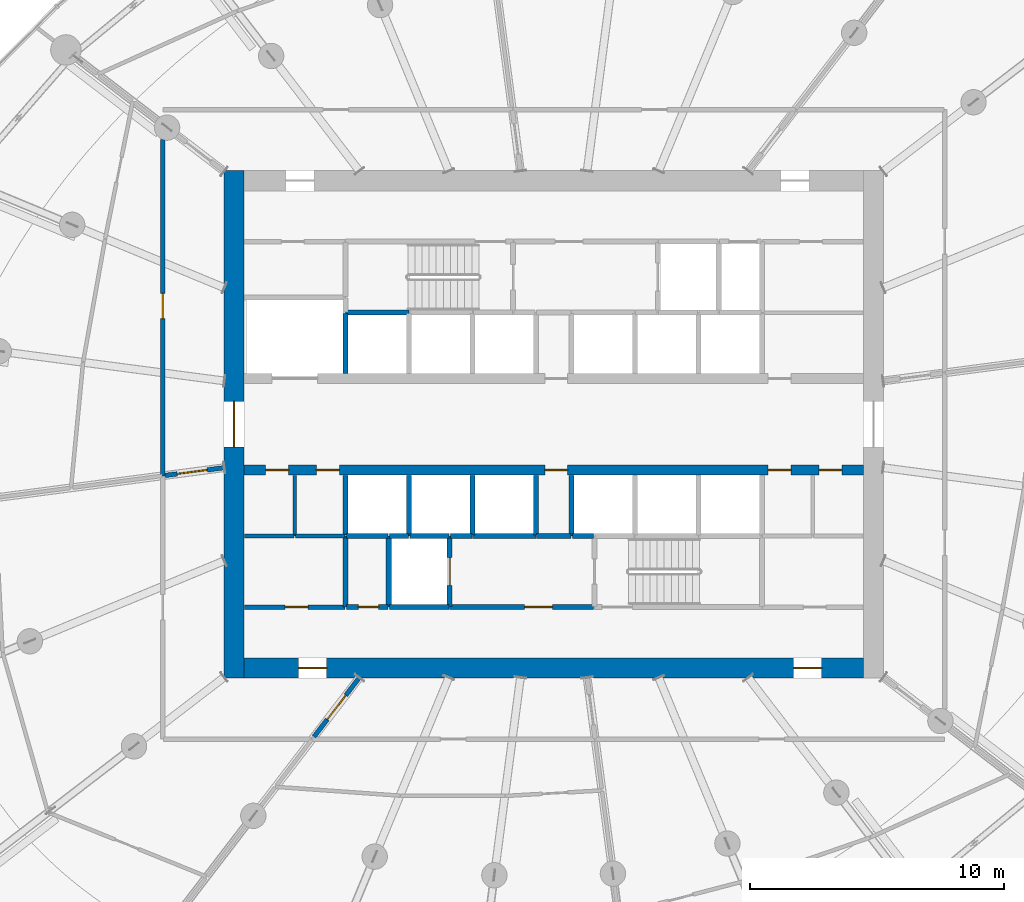
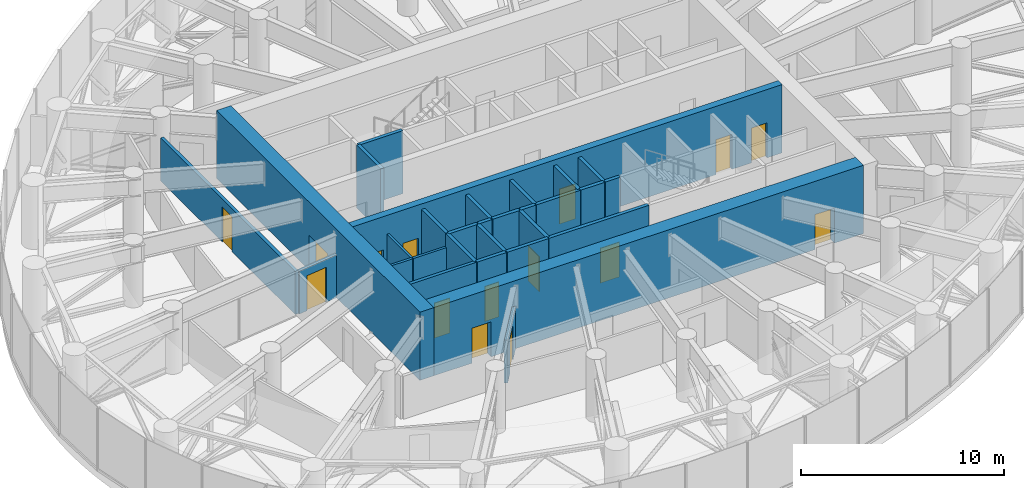
# One storey, part 16 of 33: 30 walls, 15 doors, 15 openings.
"""IFC4 building model written with IfcOpenShell, lengths in metres."""

from ifc_helpers import new_model, si_unit, direction, frame, frame_2d, origin, place, context, subcontext, project, spatial, rectangle, extrude, source, transform, mapped, material, layer, layer_set, type_object, element, fill, save


model = new_model("IFC4")

# Units and contexts
model_context = context("Model", 3, precision=1e-05, world=origin(), true_north=direction((0.0, 1.0)))
body_context = subcontext(model_context, "Body", "Model", "MODEL_VIEW")
ifc_project = project(units=[si_unit("LENGTHUNIT", "METRE"), si_unit("AREAUNIT", "SQUARE_METRE"), si_unit("VOLUMEUNIT", "CUBIC_METRE"), si_unit("PLANEANGLEUNIT", "RADIAN"), si_unit("MASSUNIT", "GRAM", prefix="KILO")], contexts=[model_context])

# Site, building, storey
site_placement = place(None, origin())
site = spatial("IfcSite", under=ifc_project, at=site_placement, CompositionType="ELEMENT")
building_placement = place(site_placement, origin())
building = spatial("IfcBuilding", under=site, at=building_placement, Name="Spindrift Exchange Tower", CompositionType="ELEMENT")
storey_placement = place(building_placement, frame((0.0, 0.0, 129.0)))
storey = spatial("IfcBuildingStorey", under=building, at=storey_placement, Name="L30", CompositionType="ELEMENT", Elevation=129.0)

# Wall, opening, door
ifc_material_1 = material(Name="Concrete 65 MPa", Category="concrete")
ifc_layer_1 = layer(ifc_material_1, 0.800048828125)
ifc_layer_set_1 = layer_set([ifc_layer_1], Name="RC Core Wall 800 Concrete 65 MPa")
wall_type_1 = type_object("IfcWallType", Name="RC Core Wall 800 Concrete 65 MPa", PredefinedType="SHEAR", material=ifc_layer_set_1)
wall_1_placement = place(storey_placement, frame((39.39990234375, 58.0, 0.0), z_axis=(0.0, 0.0, 1.0), x_axis=(0.0, -1.0, 0.0)))
wall_1 = element("IfcWall", 1, at=wall_1_placement, inside=storey, type_object=wall_type_1, Name="Core wall W L30", PredefinedType="SHEAR", context=body_context, shape_type="SweptSolid", body=[
    extrude(rectangle(XDim=20.0, YDim=0.800048828125, at=frame_2d((10.0, 0.0))), origin(), (0.0, 0.0, 1.0), 4.10009765625),
])
opening_1_placement = place(wall_1_placement, frame((9.10009765625, 0.0, 0.0)))
opening_1 = element("IfcOpeningElement", 2, at=opening_1_placement, cuts=wall_1, Name="Opening L30-D1", PredefinedType="OPENING", context=body_context, shape_type="SweptSolid", body=[
    extrude(rectangle(XDim=1.800048828125, YDim=2.10009765625, at=frame_2d((0.89990234375, 1.050048828125))), frame((0.0, 0.409912109375, 0.0), z_axis=(0.0, -1.0, 0.0), x_axis=(1.0, 0.0, 0.0)), (0.0, 0.0, 1.0), 0.820068359375),
])
ifc_material_2 = material(Name="Timber-core fire door", Category="wood")
door_type_1 = type_object("IfcDoorType", Name="DR-LOBBY-1800", OperationType="NOTDEFINED", PredefinedType="DOOR", material=ifc_material_2)
shared_shape_1 = source(origin(), body_context, "Body", "SweptSolid", [
    extrude(rectangle(XDim=1.800048828125, YDim=2.10009765625, at=frame_2d((0.89990234375, 1.050048828125))), frame((0.0, 0.02490234375, 0.0), z_axis=(0.0, -1.0, 0.0), x_axis=(1.0, 0.0, 0.0)), (0.0, 0.0, 1.0), 0.050048828125),
])
door_1_placement = place(opening_1_placement, origin())
door_1 = element("IfcDoor", 3, at=door_1_placement, inside=storey, type_object=door_type_1, Name="L30 Lobby door 1", OperationType="SINGLE_SWING_RIGHT", OverallHeight=2.10009765625, OverallWidth=1.800048828125, PredefinedType="DOOR", context=body_context, shape_type="MappedRepresentation", body=[
    mapped(shared_shape_1, transform((0.0, 0.0, 0.0), scale=1.0)),
])
fill(opening_1, door_1)

# Wall, openings, doors
wall_2_placement = place(storey_placement, frame((39.800048828125, 38.39990234375, 0.0), z_axis=(0.0, 0.0, 1.0), x_axis=(1.0, 0.0, 0.0)))
wall_2 = element("IfcWall", 4, at=wall_2_placement, inside=storey, type_object=wall_type_1, Name="Core wall S L30", PredefinedType="SHEAR", context=body_context, shape_type="SweptSolid", body=[
    extrude(rectangle(XDim=24.39990234375, YDim=0.800048828125, at=frame_2d((12.199951171875, 0.0))), origin(), (0.0, 0.0, 1.0), 4.10009765625),
])
opening_2_placement = place(wall_2_placement, frame((21.64990234375, 0.0, 0.0)))
opening_2 = element("IfcOpeningElement", 5, at=opening_2_placement, cuts=wall_2, Name="Opening L30-D16", PredefinedType="OPENING", context=body_context, shape_type="SweptSolid", body=[
    extrude(rectangle(XDim=1.10009765625, YDim=2.10009765625, at=frame_2d((0.550048828125, 1.050048828125))), frame((0.0, 0.409912109375, 0.0), z_axis=(0.0, -1.0, 0.0), x_axis=(1.0, 0.0, 0.0)), (0.0, 0.0, 1.0), 0.820068359375),
])
opening_3_placement = place(wall_2_placement, frame((2.14990234375, 0.0, 0.0)))
opening_3 = element("IfcOpeningElement", 6, at=opening_3_placement, cuts=wall_2, Name="Opening L30-D17", PredefinedType="OPENING", context=body_context, shape_type="SweptSolid", body=[
    extrude(rectangle(XDim=1.10009765625, YDim=2.10009765625, at=frame_2d((0.550048828125, 1.050048828125))), frame((0.0, 0.409912109375, 0.0), z_axis=(0.0, -1.0, 0.0), x_axis=(1.0, 0.0, 0.0)), (0.0, 0.0, 1.0), 0.820068359375),
])
ifc_material_3 = material(Name="Steel fire door", Category="steel")
door_type_2 = type_object("IfcDoorType", Name="DR-STAIR-1100", OperationType="NOTDEFINED", PredefinedType="DOOR", material=ifc_material_3)
shared_shape_2 = source(origin(), body_context, "Body", "SweptSolid", [
    extrude(rectangle(XDim=1.10009765625, YDim=2.10009765625, at=frame_2d((0.550048828125, 1.050048828125))), frame((0.0, 0.02490234375, 0.0), z_axis=(0.0, -1.0, 0.0), x_axis=(1.0, 0.0, 0.0)), (0.0, 0.0, 1.0), 0.050048828125),
])
door_2_placement = place(opening_2_placement, origin())
door_2 = element("IfcDoor", 7, at=door_2_placement, inside=storey, type_object=door_type_2, Name="L30 Stair door 16", OperationType="SINGLE_SWING_LEFT", OverallHeight=2.10009765625, OverallWidth=1.10009765625, PredefinedType="DOOR", context=body_context, shape_type="MappedRepresentation", body=[
    mapped(shared_shape_2, transform((0.0, 0.0, 0.0), scale=1.0)),
])
fill(opening_2, door_2)
door_3_placement = place(opening_3_placement, origin())
door_3 = element("IfcDoor", 8, at=door_3_placement, inside=storey, type_object=door_type_2, Name="L30 Stair door 17", OperationType="SINGLE_SWING_RIGHT", OverallHeight=2.10009765625, OverallWidth=1.10009765625, PredefinedType="DOOR", context=body_context, shape_type="MappedRepresentation", body=[
    mapped(shared_shape_2, transform((0.0, 0.0, 0.0), scale=1.0)),
])
fill(opening_3, door_3)

ifc_layer_2 = layer(ifc_material_1, 0.39990234375)
ifc_layer_set_2 = layer_set([ifc_layer_2], Name="RC Spine Wall 400 Concrete 65 MPa")
wall_type_2 = type_object("IfcWallType", Name="RC Spine Wall 400 Concrete 65 MPa", PredefinedType="SHEAR", material=ifc_layer_set_2)
wall_3_placement = place(storey_placement, frame((39.800048828125, 46.199951171875, 0.0), z_axis=(0.0, 0.0, 1.0), x_axis=(1.0, 0.0, 0.0)))
wall_3 = element("IfcWall", 9, at=wall_3_placement, inside=storey, type_object=wall_type_2, Name="Core spine wall S L30", PredefinedType="SHEAR", context=body_context, shape_type="SweptSolid", body=[
    extrude(rectangle(XDim=24.39990234375, YDim=0.39990234375, at=frame_2d((12.199951171875, 0.0))), origin(), (0.0, 0.0, 1.0), 4.10009765625),
])
opening_4_placement = place(wall_3_placement, frame((20.64990234375, 0.0, 0.0)))
opening_4 = element("IfcOpeningElement", 10, at=opening_4_placement, cuts=wall_3, Name="Opening L30-D43", PredefinedType="OPENING", context=body_context, shape_type="SweptSolid", body=[
    extrude(rectangle(XDim=0.89990234375, YDim=2.10009765625, at=frame_2d((0.449951171875, 1.050048828125))), frame((0.0, 0.2099609375, 0.0), z_axis=(0.0, -1.0, 0.0), x_axis=(1.0, 0.0, 0.0)), (0.0, 0.0, 1.0), 0.419921875),
])
opening_5_placement = place(wall_3_placement, frame((22.64990234375, 0.0, 0.0)))
opening_5 = element("IfcOpeningElement", 11, at=opening_5_placement, cuts=wall_3, Name="Opening L30-D44", PredefinedType="OPENING", context=body_context, shape_type="SweptSolid", body=[
    extrude(rectangle(XDim=0.89990234375, YDim=2.10009765625, at=frame_2d((0.449951171875, 1.050048828125))), frame((0.0, 0.2099609375, 0.0), z_axis=(0.0, -1.0, 0.0), x_axis=(1.0, 0.0, 0.0)), (0.0, 0.0, 1.0), 0.419921875),
])
opening_6_placement = place(wall_3_placement, frame((0.85009765625, 0.0, 0.0)))
opening_6 = element("IfcOpeningElement", 12, at=opening_6_placement, cuts=wall_3, Name="Opening L30-D48", PredefinedType="OPENING", context=body_context, shape_type="SweptSolid", body=[
    extrude(rectangle(XDim=0.89990234375, YDim=2.10009765625, at=frame_2d((0.449951171875, 1.050048828125))), frame((0.0, 0.2099609375, 0.0), z_axis=(0.0, -1.0, 0.0), x_axis=(1.0, 0.0, 0.0)), (0.0, 0.0, 1.0), 0.419921875),
])
opening_7_placement = place(wall_3_placement, frame((2.85009765625, 0.0, 0.0)))
opening_7 = element("IfcOpeningElement", 13, at=opening_7_placement, cuts=wall_3, Name="Opening L30-D49", PredefinedType="OPENING", context=body_context, shape_type="SweptSolid", body=[
    extrude(rectangle(XDim=0.89990234375, YDim=2.10009765625, at=frame_2d((0.449951171875, 1.050048828125))), frame((0.0, 0.2099609375, 0.0), z_axis=(0.0, -1.0, 0.0), x_axis=(1.0, 0.0, 0.0)), (0.0, 0.0, 1.0), 0.419921875),
])
opening_8_placement = place(wall_3_placement, frame((11.85009765625, 0.0, 0.0)))
opening_8 = element("IfcOpeningElement", 14, at=opening_8_placement, cuts=wall_3, Name="Opening L30-D51", PredefinedType="OPENING", context=body_context, shape_type="SweptSolid", body=[
    extrude(rectangle(XDim=0.89990234375, YDim=2.10009765625, at=frame_2d((0.449951171875, 1.050048828125))), frame((0.0, 0.2099609375, 0.0), z_axis=(0.0, -1.0, 0.0), x_axis=(1.0, 0.0, 0.0)), (0.0, 0.0, 1.0), 0.419921875),
])
ifc_material_4 = material(Name="Steel access door", Category="steel")
door_type_3 = type_object("IfcDoorType", Name="DR-RISER-900", OperationType="NOTDEFINED", PredefinedType="DOOR", material=ifc_material_4)
shared_shape_3 = source(origin(), body_context, "Body", "SweptSolid", [
    extrude(rectangle(XDim=0.89990234375, YDim=2.10009765625, at=frame_2d((0.449951171875, 1.050048828125))), frame((0.0, 0.02490234375, 0.0), z_axis=(0.0, -1.0, 0.0), x_axis=(1.0, 0.0, 0.0)), (0.0, 0.0, 1.0), 0.050048828125),
])
door_4_placement = place(opening_4_placement, origin())
door_4 = element("IfcDoor", 15, at=door_4_placement, inside=storey, type_object=door_type_3, Name="L30 Riser door 43", OperationType="SINGLE_SWING_RIGHT", OverallHeight=2.10009765625, OverallWidth=0.89990234375, PredefinedType="DOOR", context=body_context, shape_type="MappedRepresentation", body=[
    mapped(shared_shape_3, transform((0.0, 0.0, 0.0), scale=1.0)),
])
fill(opening_4, door_4)
door_5_placement = place(opening_5_placement, origin())
door_5 = element("IfcDoor", 16, at=door_5_placement, inside=storey, type_object=door_type_3, Name="L30 Riser door 44", OperationType="SINGLE_SWING_LEFT", OverallHeight=2.10009765625, OverallWidth=0.89990234375, PredefinedType="DOOR", context=body_context, shape_type="MappedRepresentation", body=[
    mapped(shared_shape_3, transform((0.0, 0.0, 0.0), scale=1.0)),
])
fill(opening_5, door_5)
door_6_placement = place(opening_6_placement, origin())
door_6 = element("IfcDoor", 17, at=door_6_placement, inside=storey, type_object=door_type_3, Name="L30 Riser door 48", OperationType="SINGLE_SWING_LEFT", OverallHeight=2.10009765625, OverallWidth=0.89990234375, PredefinedType="DOOR", context=body_context, shape_type="MappedRepresentation", body=[
    mapped(shared_shape_3, transform((0.0, 0.0, 0.0), scale=1.0)),
])
fill(opening_6, door_6)
door_7_placement = place(opening_7_placement, origin())
door_7 = element("IfcDoor", 18, at=door_7_placement, inside=storey, type_object=door_type_3, Name="L30 Riser door 49", OperationType="SINGLE_SWING_RIGHT", OverallHeight=2.10009765625, OverallWidth=0.89990234375, PredefinedType="DOOR", context=body_context, shape_type="MappedRepresentation", body=[
    mapped(shared_shape_3, transform((0.0, 0.0, 0.0), scale=1.0)),
])
fill(opening_7, door_7)
door_8_placement = place(opening_8_placement, origin())
door_8 = element("IfcDoor", 19, at=door_8_placement, inside=storey, type_object=door_type_3, Name="L30 Riser door 51", OperationType="SINGLE_SWING_RIGHT", OverallHeight=2.10009765625, OverallWidth=0.89990234375, PredefinedType="DOOR", context=body_context, shape_type="MappedRepresentation", body=[
    mapped(shared_shape_3, transform((0.0, 0.0, 0.0), scale=1.0)),
])
fill(opening_8, door_8)

# Wall, opening, door
ifc_material_5 = material(Name="Fire-rated plasterboard partition", Category="gypsum")
ifc_layer_3 = layer(ifc_material_5, 0.179931640625)
ifc_layer_set_3 = layer_set([ifc_layer_3], Name="W-CORR-180")
wall_type_3 = type_object("IfcWallType", Name="W-CORR-180", PredefinedType="PARTITIONING", material=ifc_layer_set_3)
wall_4_placement = place(storey_placement, frame((39.820068359375, 40.800048828125, 0.0), z_axis=(0.0, 0.0, 1.0), x_axis=(1.0, 0.0, 0.0)))
wall_4 = element("IfcWall", 20, at=wall_4_placement, inside=storey, type_object=wall_type_3, Name="L30 Partition wall 69", PredefinedType="PARTITIONING", context=body_context, shape_type="SweptSolid", body=[
    extrude(rectangle(XDim=3.949951171875, YDim=0.179931640625, at=frame_2d((1.97509765625, 0.0))), origin(), (0.0, 0.0, 1.0), 3.780029296875),
])
opening_9_placement = place(wall_4_placement, frame((1.60009765625, 0.0, 0.0)))
opening_9 = element("IfcOpeningElement", 21, at=opening_9_placement, cuts=wall_4, Name="Opening L30-D42", PredefinedType="OPENING", context=body_context, shape_type="SweptSolid", body=[
    extrude(rectangle(XDim=0.89990234375, YDim=2.10009765625, at=frame_2d((0.449951171875, 1.050048828125))), frame((0.0, 0.099853515625, 0.0), z_axis=(0.0, -1.0, 0.0), x_axis=(1.0, 0.0, 0.0)), (0.0, 0.0, 1.0), 0.199951171875),
])
door_9_placement = place(opening_9_placement, origin())
door_9 = element("IfcDoor", 22, at=door_9_placement, inside=storey, type_object=door_type_3, Name="L30 Riser door 42", OperationType="SINGLE_SWING_LEFT", OverallHeight=2.10009765625, OverallWidth=0.89990234375, PredefinedType="DOOR", context=body_context, shape_type="MappedRepresentation", body=[
    mapped(shared_shape_3, transform((0.0, 0.0, 0.0), scale=1.0)),
])
fill(opening_9, door_9)

ifc_layer_4 = layer(ifc_material_5, 0.179931640625)
ifc_layer_set_4 = layer_set([ifc_layer_4], Name="W-CORR-180-SOFFIT")
wall_type_4 = type_object("IfcWallType", Name="W-CORR-180-SOFFIT", PredefinedType="PARTITIONING", material=ifc_layer_set_4)
wall_5_placement = place(storey_placement, frame((42.55419921875, 35.68994140625, 0.0), z_axis=(0.0, 0.0, 1.0), x_axis=(0.608737787706, 0.793371480341, 0.0)))
wall_5 = element("IfcWall", 23, at=wall_5_placement, inside=storey, type_object=wall_type_4, Name="L30 Partition wall 71", PredefinedType="PARTITIONING", context=body_context, shape_type="SweptSolid", body=[
    extrude(rectangle(XDim=2.91162109375, YDim=0.179931640625, at=frame_2d((1.455810546875, 0.0))), origin(), (0.0, 0.0, 1.0), 2.580078125),
])
opening_10_placement = place(wall_5_placement, frame((0.86181640625, 0.0, 0.0)))
opening_10 = element("IfcOpeningElement", 24, at=opening_10_placement, cuts=wall_5, Name="Opening L30-D37", PredefinedType="OPENING", context=body_context, shape_type="SweptSolid", body=[
    extrude(rectangle(XDim=1.199951171875, YDim=2.10009765625, at=frame_2d((0.60009765625, 1.050048828125))), frame((0.0, 0.099853515625, 0.0), z_axis=(0.0, -1.0, 0.0), x_axis=(1.0, 0.0, 0.0)), (0.0, 0.0, 1.0), 0.199951171875),
])
door_type_4 = type_object("IfcDoorType", Name="DR-PLANT-1200", OperationType="NOTDEFINED", PredefinedType="DOOR", material=ifc_material_3)
shared_shape_4 = source(origin(), body_context, "Body", "SweptSolid", [
    extrude(rectangle(XDim=1.199951171875, YDim=2.10009765625, at=frame_2d((0.60009765625, 1.050048828125))), frame((0.0, 0.02490234375, 0.0), z_axis=(0.0, -1.0, 0.0), x_axis=(1.0, 0.0, 0.0)), (0.0, 0.0, 1.0), 0.050048828125),
])
door_10_placement = place(opening_10_placement, origin())
door_10 = element("IfcDoor", 25, at=door_10_placement, inside=storey, type_object=door_type_4, Name="L30 Plant room door 37", OperationType="SINGLE_SWING_RIGHT", OverallHeight=2.10009765625, OverallWidth=1.199951171875, PredefinedType="DOOR", context=body_context, shape_type="MappedRepresentation", body=[
    mapped(shared_shape_4, transform((0.0, 0.0, 0.0), scale=1.0)),
])
fill(opening_10, door_10)

wall_6_placement = place(storey_placement, frame((36.68994140625, 45.984375, 0.0), z_axis=(0.0, 0.0, 1.0), x_axis=(0.991440737811, 0.130557509967, 0.0)))
wall_6 = element("IfcWall", 26, at=wall_6_placement, inside=storey, type_object=wall_type_4, Name="L30 Partition wall 74", PredefinedType="PARTITIONING", context=body_context, shape_type="SweptSolid", body=[
    extrude(rectangle(XDim=2.330078125, YDim=0.179931640625, at=frame_2d((1.1650390625, 0.0))), origin(), (0.0, 0.0, 1.0), 2.580078125),
])
opening_11_placement = place(wall_6_placement, frame((0.47998046875, 0.0, 0.0)))
opening_11 = element("IfcOpeningElement", 27, at=opening_11_placement, cuts=wall_6, Name="Opening L30-D36", PredefinedType="OPENING", context=body_context, shape_type="SweptSolid", body=[
    extrude(rectangle(XDim=1.199951171875, YDim=2.10009765625, at=frame_2d((0.60009765625, 1.050048828125))), frame((0.0, 0.099853515625, 0.0), z_axis=(0.0, -1.0, 0.0), x_axis=(1.0, 0.0, 0.0)), (0.0, 0.0, 1.0), 0.199951171875),
])
door_11_placement = place(opening_11_placement, origin())
door_11 = element("IfcDoor", 28, at=door_11_placement, inside=storey, type_object=door_type_4, Name="L30 Plant room door 36", OperationType="SINGLE_SWING_LEFT", OverallHeight=2.10009765625, OverallWidth=1.199951171875, PredefinedType="DOOR", context=body_context, shape_type="MappedRepresentation", body=[
    mapped(shared_shape_4, transform((0.0, 0.0, 0.0), scale=1.0)),
])
fill(opening_11, door_11)

# Walls
ifc_layer_5 = layer(ifc_material_5, 0.139892578125)
ifc_layer_set_5 = layer_set([ifc_layer_5], Name="W-PART-140")
wall_type_5 = type_object("IfcWallType", Name="W-PART-140", PredefinedType="PARTITIONING", material=ifc_layer_set_5)
wall_7_placement = place(storey_placement, frame((41.800048828125, 43.60009765625, 0.0), z_axis=(0.0, 0.0, 1.0), x_axis=(0.0, 1.0, 0.0)))
element("IfcWall", 29, at=wall_7_placement, inside=storey, type_object=wall_type_5, Name="L30 Partition wall 118", PredefinedType="PARTITIONING", context=body_context, shape_type="SweptSolid", body=[
    extrude(rectangle(XDim=2.389892578125, YDim=0.139892578125, at=frame_2d((1.19482421875, 0.0))), origin(), (0.0, 0.0, 1.0), 2.97998046875),
])
wall_8_placement = place(storey_placement, frame((43.77001953125, 43.60009765625, 0.0), z_axis=(0.0, 0.0, 1.0), x_axis=(-1.0, 0.0, 0.0)))
element("IfcWall", 30, at=wall_8_placement, inside=storey, type_object=wall_type_5, Name="L30 Partition wall 122", PredefinedType="PARTITIONING", context=body_context, shape_type="SweptSolid", body=[
    extrude(rectangle(XDim=1.93994140625, YDim=0.139892578125, at=frame_2d((0.969970703125, 0.0))), origin(), (0.0, 0.0, 1.0), 2.97998046875),
])
wall_9_placement = place(storey_placement, frame((41.77001953125, 43.60009765625, 0.0), z_axis=(0.0, 0.0, 1.0), x_axis=(-1.0, 0.0, 0.0)))
element("IfcWall", 31, at=wall_9_placement, inside=storey, type_object=wall_type_5, Name="L30 Partition wall 125", PredefinedType="PARTITIONING", context=body_context, shape_type="SweptSolid", body=[
    extrude(rectangle(XDim=1.949951171875, YDim=0.139892578125, at=frame_2d((0.97509765625, 0.0))), origin(), (0.0, 0.0, 1.0), 2.97998046875),
])

# Wall, opening, door
ifc_layer_6 = layer(ifc_material_5, 0.179931640625)
ifc_layer_set_6 = layer_set([ifc_layer_6], Name="W-PLANT-180-SOFFIT")
wall_type_6 = type_object("IfcWallType", Name="W-PLANT-180-SOFFIT", PredefinedType="PARTITIONING", material=ifc_layer_set_6)
wall_10_placement = place(storey_placement, frame((36.60009765625, 45.97265625, 0.0), z_axis=(0.0, 0.0, 1.0), x_axis=(0.0, 1.0, 0.0)))
wall_10 = element("IfcWall", 32, at=wall_10_placement, inside=storey, type_object=wall_type_6, Name="L30 Partition wall 60", PredefinedType="PARTITIONING", context=body_context, shape_type="SweptSolid", body=[
    extrude(rectangle(XDim=13.23974609375, YDim=0.179931640625, at=frame_2d((6.619873046875, 0.0))), origin(), (0.0, 0.0, 1.0), 2.580078125),
])
opening_12_placement = place(wall_10_placement, frame((6.18994140625, 0.0, 0.0)))
opening_12 = element("IfcOpeningElement", 33, at=opening_12_placement, cuts=wall_10, Name="Opening L30-D23", PredefinedType="OPENING", context=body_context, shape_type="SweptSolid", body=[
    extrude(rectangle(XDim=1.0, YDim=2.10009765625, at=frame_2d((0.5, 1.050048828125))), frame((0.0, 0.099853515625, 0.0), z_axis=(0.0, -1.0, 0.0), x_axis=(1.0, 0.0, 0.0)), (0.0, 0.0, 1.0), 0.199951171875),
])
door_type_5 = type_object("IfcDoorType", Name="DR-ROOM-1000", OperationType="NOTDEFINED", PredefinedType="DOOR", material=ifc_material_2)
shared_shape_5 = source(origin(), body_context, "Body", "SweptSolid", [
    extrude(rectangle(XDim=1.0, YDim=2.10009765625, at=frame_2d((0.5, 1.050048828125))), frame((0.0, 0.02490234375, 0.0), z_axis=(0.0, -1.0, 0.0), x_axis=(1.0, 0.0, 0.0)), (0.0, 0.0, 1.0), 0.050048828125),
])
door_12_placement = place(opening_12_placement, origin())
door_12 = element("IfcDoor", 34, at=door_12_placement, inside=storey, type_object=door_type_5, Name="L30 Door 23", OperationType="SINGLE_SWING_RIGHT", OverallHeight=2.10009765625, OverallWidth=1.0, PredefinedType="DOOR", context=body_context, shape_type="MappedRepresentation", body=[
    mapped(shared_shape_5, transform((0.0, 0.0, 0.0), scale=1.0)),
])
fill(opening_12, door_12)

# Walls
ifc_material_6 = material(Name="Concrete 40 MPa", Category="concrete")
ifc_layer_7 = layer(ifc_material_6, 0.199951171875)
ifc_layer_set_7 = layer_set([ifc_layer_7], Name="W-SHAFT-200")
wall_type_7 = type_object("IfcWallType", Name="W-SHAFT-200", PredefinedType="SOLIDWALL", material=ifc_layer_set_7)
for number, where, z_axis, x_axis, name in (
    (35, (43.800048828125, 43.60009765625, 0.0), (0.0, 0.0, 1.0), (0.0, -1.0, 0.0), "L30 Shaft wall 6"),
    (36, (45.5, 43.60009765625, 0.0), (0.0, 0.0, 1.0), (0.0, -1.0, 0.0), "L30 Shaft wall 7"),
):
    element("IfcWall", number, at=place(storey_placement, frame(where, z_axis=z_axis, x_axis=x_axis)), inside=storey, type_object=wall_type_7, Name=name, PredefinedType="SOLIDWALL", context=body_context, shape_type="SweptSolid", body=[
        extrude(rectangle(XDim=2.800048828125, YDim=0.199951171875, at=frame_2d((1.39990234375, 0.0))), origin(), (0.0, 0.0, 1.0), 3.780029296875),
    ])

# Wall, opening, door
wall_11_placement = place(storey_placement, frame((47.89990234375, 40.830078125, 0.0), z_axis=(0.0, 0.0, 1.0), x_axis=(0.0, 1.0, 0.0)))
wall_11 = element("IfcWall", 37, at=wall_11_placement, inside=storey, type_object=wall_type_7, Name="L30 Shaft wall 8", PredefinedType="SOLIDWALL", context=body_context, shape_type="SweptSolid", body=[
    extrude(rectangle(XDim=2.77001953125, YDim=0.199951171875, at=frame_2d((1.385009765625, 0.0))), origin(), (0.0, 0.0, 1.0), 3.780029296875),
])
opening_13_placement = place(wall_11_placement, frame((0.820068359375, 0.0, 0.0)))
opening_13 = element("IfcOpeningElement", 38, at=opening_13_placement, cuts=wall_11, Name="Opening L30-D4", PredefinedType="OPENING", context=body_context, shape_type="SweptSolid", body=[
    extrude(rectangle(XDim=1.10009765625, YDim=2.10009765625, at=frame_2d((0.550048828125, 1.050048828125))), frame((0.0, 0.10986328125, 0.0), z_axis=(0.0, -1.0, 0.0), x_axis=(1.0, 0.0, 0.0)), (0.0, 0.0, 1.0), 0.219970703125),
])
ifc_material_7 = material(Name="Stainless steel landing door", Category="steel")
door_type_6 = type_object("IfcDoorType", Name="DR-LANDING-1100-SL", OperationType="DOUBLE_DOOR_SLIDING", PredefinedType="USERDEFINED", material=ifc_material_7)
shared_shape_6 = source(origin(), body_context, "Body", "SweptSolid", [
    extrude(rectangle(XDim=1.10009765625, YDim=2.10009765625, at=frame_2d((0.550048828125, 1.050048828125))), frame((0.0, 0.02490234375, 0.0), z_axis=(0.0, -1.0, 0.0), x_axis=(1.0, 0.0, 0.0)), (0.0, 0.0, 1.0), 0.050048828125),
])
door_13_placement = place(opening_13_placement, origin())
door_13 = element("IfcDoor", 39, at=door_13_placement, inside=storey, type_object=door_type_6, Name="L30 Lift landing door 4", ObjectType="LANDING DOOR", OperationType="DOUBLE_DOOR_SLIDING", OverallHeight=2.10009765625, OverallWidth=1.10009765625, PredefinedType="USERDEFINED", context=body_context, shape_type="MappedRepresentation", body=[
    mapped(shared_shape_6, transform((0.0, 0.0, 0.0), scale=1.0)),
])
fill(opening_13, door_13)

# Walls
wall_12_placement = place(storey_placement, frame((48.800048828125, 43.60009765625, 0.0), z_axis=(0.0, 0.0, 1.0), x_axis=(1.0, 0.0, 0.0)))
element("IfcWall", 40, at=wall_12_placement, inside=storey, type_object=wall_type_7, Name="L30 Shaft wall 17", PredefinedType="SOLIDWALL", context=body_context, shape_type="SweptSolid", body=[
    extrude(rectangle(XDim=2.5, YDim=0.199951171875, at=frame_2d((1.25, 0.0))), origin(), (0.0, 0.0, 1.0), 3.780029296875),
])
wall_13_placement = place(storey_placement, frame((45.530029296875, 40.800048828125, 0.0), z_axis=(0.0, 0.0, 1.0), x_axis=(1.0, 0.0, 0.0)))
element("IfcWall", 41, at=wall_13_placement, inside=storey, type_object=wall_type_7, Name="L30 Shaft wall 21", PredefinedType="SOLIDWALL", context=body_context, shape_type="SweptSolid", body=[
    extrude(rectangle(XDim=2.340087890625, YDim=0.199951171875, at=frame_2d((1.169921875, 0.0))), origin(), (0.0, 0.0, 1.0), 3.780029296875),
])
wall_14_placement = place(storey_placement, frame((43.800048828125, 45.989990234375, 0.0), z_axis=(0.0, 0.0, 1.0), x_axis=(0.0, -1.0, 0.0)))
element("IfcWall", 42, at=wall_14_placement, inside=storey, type_object=wall_type_7, Name="L30 Shaft wall 23", PredefinedType="SOLIDWALL", context=body_context, shape_type="SweptSolid", body=[
    extrude(rectangle(XDim=2.360107421875, YDim=0.199951171875, at=frame_2d((1.18017578125, 0.0))), origin(), (0.0, 0.0, 1.0), 3.780029296875),
])
wall_15_placement = place(storey_placement, frame((46.300048828125, 43.60009765625, 0.0), z_axis=(0.0, 0.0, 1.0), x_axis=(0.0, 1.0, 0.0)))
element("IfcWall", 43, at=wall_15_placement, inside=storey, type_object=wall_type_7, Name="L30 Shaft wall 25", PredefinedType="SOLIDWALL", context=body_context, shape_type="SweptSolid", body=[
    extrude(rectangle(XDim=2.389892578125, YDim=0.199951171875, at=frame_2d((1.19482421875, 0.0))), origin(), (0.0, 0.0, 1.0), 3.780029296875),
])
for number, where, z_axis, x_axis, name in (
    (44, (48.800048828125, 43.6298828125, 0.0), (0.0, 0.0, 1.0), (0.0, 1.0, 0.0), "L30 Shaft wall 27"),
    (45, (51.300048828125, 43.6298828125, 0.0), (0.0, 0.0, 1.0), (0.0, 1.0, 0.0), "L30 Shaft wall 29"),
):
    element("IfcWall", number, at=place(storey_placement, frame(where, z_axis=z_axis, x_axis=x_axis)), inside=storey, type_object=wall_type_7, Name=name, PredefinedType="SOLIDWALL", context=body_context, shape_type="SweptSolid", body=[
        extrude(rectangle(XDim=2.360107421875, YDim=0.199951171875, at=frame_2d((1.18017578125, 0.0))), origin(), (0.0, 0.0, 1.0), 3.780029296875),
    ])
wall_16_placement = place(storey_placement, frame((52.699951171875, 45.989990234375, 0.0), z_axis=(0.0, 0.0, 1.0), x_axis=(0.0, -1.0, 0.0)))
element("IfcWall", 46, at=wall_16_placement, inside=storey, type_object=wall_type_7, Name="L30 Shaft wall 31", PredefinedType="SOLIDWALL", context=body_context, shape_type="SweptSolid", body=[
    extrude(rectangle(XDim=2.389892578125, YDim=0.199951171875, at=frame_2d((1.19482421875, 0.0))), origin(), (0.0, 0.0, 1.0), 3.780029296875),
])
wall_17_placement = place(storey_placement, frame((43.830078125, 43.60009765625, 0.0), z_axis=(0.0, 0.0, 1.0), x_axis=(1.0, 0.0, 0.0)))
element("IfcWall", 47, at=wall_17_placement, inside=storey, type_object=wall_type_7, Name="L30 Shaft wall 40", PredefinedType="SOLIDWALL", context=body_context, shape_type="SweptSolid", body=[
    extrude(rectangle(XDim=1.639892578125, YDim=0.199951171875, at=frame_2d((0.81982421875, 0.0))), origin(), (0.0, 0.0, 1.0), 3.780029296875),
])

# Wall, opening, door
wall_18_placement = place(storey_placement, frame((43.830078125, 40.800048828125, 0.0), z_axis=(0.0, 0.0, 1.0), x_axis=(1.0, 0.0, 0.0)))
wall_18 = element("IfcWall", 48, at=wall_18_placement, inside=storey, type_object=wall_type_7, Name="L30 Shaft wall 41", PredefinedType="SOLIDWALL", context=body_context, shape_type="SweptSolid", body=[
    extrude(rectangle(XDim=1.639892578125, YDim=0.199951171875, at=frame_2d((0.81982421875, 0.0))), origin(), (0.0, 0.0, 1.0), 3.780029296875),
])
opening_14_placement = place(wall_18_placement, frame((0.469970703125, 0.0, 0.0)))
opening_14 = element("IfcOpeningElement", 49, at=opening_14_placement, cuts=wall_18, Name="Opening L30-D13", PredefinedType="OPENING", context=body_context, shape_type="SweptSolid", body=[
    extrude(rectangle(XDim=0.800048828125, YDim=2.10009765625, at=frame_2d((0.39990234375, 1.050048828125))), frame((0.0, 0.10986328125, 0.0), z_axis=(0.0, -1.0, 0.0), x_axis=(1.0, 0.0, 0.0)), (0.0, 0.0, 1.0), 0.219970703125),
])
door_type_7 = type_object("IfcDoorType", Name="DR-RISER-800", OperationType="NOTDEFINED", PredefinedType="DOOR", material=ifc_material_4)
shared_shape_7 = source(origin(), body_context, "Body", "SweptSolid", [
    extrude(rectangle(XDim=0.800048828125, YDim=2.10009765625, at=frame_2d((0.39990234375, 1.050048828125))), frame((0.0, 0.02490234375, 0.0), z_axis=(0.0, -1.0, 0.0), x_axis=(1.0, 0.0, 0.0)), (0.0, 0.0, 1.0), 0.050048828125),
])
door_14_placement = place(opening_14_placement, origin())
door_14 = element("IfcDoor", 50, at=door_14_placement, inside=storey, type_object=door_type_7, Name="L30 Riser door 13", OperationType="SINGLE_SWING_RIGHT", OverallHeight=2.10009765625, OverallWidth=0.800048828125, PredefinedType="DOOR", context=body_context, shape_type="MappedRepresentation", body=[
    mapped(shared_shape_7, transform((0.0, 0.0, 0.0), scale=1.0)),
])
fill(opening_14, door_14)

# Walls
wall_19_placement = place(storey_placement, frame((46.330078125, 43.60009765625, 0.0), z_axis=(0.0, 0.0, 1.0), x_axis=(1.0, 0.0, 0.0)))
element("IfcWall", 51, at=wall_19_placement, inside=storey, type_object=wall_type_7, Name="L30 Shaft wall 44", PredefinedType="SOLIDWALL", context=body_context, shape_type="SweptSolid", body=[
    extrude(rectangle(XDim=1.5400390625, YDim=0.199951171875, at=frame_2d((0.77001953125, 0.0))), origin(), (0.0, 0.0, 1.0), 3.780029296875),
])
wall_20_placement = place(storey_placement, frame((52.669921875, 43.60009765625, 0.0), z_axis=(0.0, 0.0, 1.0), x_axis=(-1.0, 0.0, 0.0)))
element("IfcWall", 52, at=wall_20_placement, inside=storey, type_object=wall_type_7, Name="L30 Shaft wall 48", PredefinedType="SOLIDWALL", context=body_context, shape_type="SweptSolid", body=[
    extrude(rectangle(XDim=1.33984375, YDim=0.199951171875, at=frame_2d((0.669921875, 0.0))), origin(), (0.0, 0.0, 1.0), 3.780029296875),
])
wall_21_placement = place(storey_placement, frame((47.929931640625, 43.60009765625, 0.0), z_axis=(0.0, 0.0, 1.0), x_axis=(1.0, 0.0, 0.0)))
element("IfcWall", 53, at=wall_21_placement, inside=storey, type_object=wall_type_7, Name="L30 Shaft wall 50", PredefinedType="SOLIDWALL", context=body_context, shape_type="SweptSolid", body=[
    extrude(rectangle(XDim=0.840087890625, YDim=0.199951171875, at=frame_2d((0.419921875, 0.0))), origin(), (0.0, 0.0, 1.0), 3.780029296875),
])
wall_22_placement = place(storey_placement, frame((45.530029296875, 43.60009765625, 0.0), z_axis=(0.0, 0.0, 1.0), x_axis=(1.0, 0.0, 0.0)))
element("IfcWall", 54, at=wall_22_placement, inside=storey, type_object=wall_type_7, Name="L30 Shaft wall 54", PredefinedType="SOLIDWALL", context=body_context, shape_type="SweptSolid", body=[
    extrude(rectangle(XDim=0.739990234375, YDim=0.199951171875, at=frame_2d((0.3701171875, 0.0))), origin(), (0.0, 0.0, 1.0), 3.780029296875),
])

# Wall, opening, door
ifc_layer_8 = layer(ifc_material_6, 0.199951171875)
ifc_layer_set_8 = layer_set([ifc_layer_8], Name="W-SHAFT-200-LB")
wall_type_8 = type_object("IfcWallType", Name="W-SHAFT-200-LB", PredefinedType="SOLIDWALL", material=ifc_layer_set_8)
wall_23_placement = place(storey_placement, frame((47.89990234375, 40.800048828125, 0.0), z_axis=(0.0, 0.0, 1.0), x_axis=(1.0, 0.0, 0.0)))
wall_23 = element("IfcWall", 55, at=wall_23_placement, inside=storey, type_object=wall_type_8, Name="L30 Shaft wall 3", PredefinedType="SOLIDWALL", context=body_context, shape_type="SweptSolid", body=[
    extrude(rectangle(XDim=5.670166015625, YDim=0.199951171875, at=frame_2d((2.8349609375, 0.0))), origin(), (0.0, 0.0, 1.0), 3.780029296875),
])
opening_15_placement = place(wall_23_placement, frame((2.949951171875, 0.0, 0.0)))
opening_15 = element("IfcOpeningElement", 56, at=opening_15_placement, cuts=wall_23, Name="Opening L30-D12", PredefinedType="OPENING", context=body_context, shape_type="SweptSolid", body=[
    extrude(rectangle(XDim=1.10009765625, YDim=2.10009765625, at=frame_2d((0.550048828125, 1.050048828125))), frame((0.0, 0.10986328125, 0.0), z_axis=(0.0, -1.0, 0.0), x_axis=(1.0, 0.0, 0.0)), (0.0, 0.0, 1.0), 0.219970703125),
])
door_type_8 = type_object("IfcDoorType", Name="DR-LOBBY-1100", OperationType="NOTDEFINED", PredefinedType="DOOR", material=ifc_material_2)
shared_shape_8 = source(origin(), body_context, "Body", "SweptSolid", [
    extrude(rectangle(XDim=1.10009765625, YDim=2.10009765625, at=frame_2d((0.550048828125, 1.050048828125))), frame((0.0, 0.02490234375, 0.0), z_axis=(0.0, -1.0, 0.0), x_axis=(1.0, 0.0, 0.0)), (0.0, 0.0, 1.0), 0.050048828125),
])
door_15_placement = place(opening_15_placement, origin())
door_15 = element("IfcDoor", 57, at=door_15_placement, inside=storey, type_object=door_type_8, Name="L30 Lobby door 12", OperationType="SINGLE_SWING_LEFT", OverallHeight=2.10009765625, OverallWidth=1.10009765625, PredefinedType="DOOR", context=body_context, shape_type="MappedRepresentation", body=[
    mapped(shared_shape_8, transform((0.0, 0.0, 0.0), scale=1.0)),
])
fill(opening_15, door_15)

# Walls
wall_24_placement = place(storey_placement, frame((46.300048828125, 52.39990234375, 0.0), z_axis=(0.0, 0.0, 1.0), x_axis=(-1.0, 0.0, 0.0)))
element("IfcWall", 58, at=wall_24_placement, inside=storey, type_object=wall_type_8, Name="L30 Shaft wall 15", PredefinedType="SOLIDWALL", context=body_context, shape_type="SweptSolid", body=[
    extrude(rectangle(XDim=2.5, YDim=0.199951171875, at=frame_2d((1.25, 0.0))), origin(), (0.0, 0.0, 1.0), 3.780029296875),
])
wall_25_placement = place(storey_placement, frame((43.800048828125, 52.3701171875, 0.0), z_axis=(0.0, 0.0, 1.0), x_axis=(0.0, -1.0, 0.0)))
element("IfcWall", 59, at=wall_25_placement, inside=storey, type_object=wall_type_8, Name="L30 Shaft wall 24", PredefinedType="SOLIDWALL", context=body_context, shape_type="SweptSolid", body=[
    extrude(rectangle(XDim=2.360107421875, YDim=0.199951171875, at=frame_2d((1.18017578125, 0.0))), origin(), (0.0, 0.0, 1.0), 3.780029296875),
])
wall_26_placement = place(storey_placement, frame((52.72998046875, 43.60009765625, 0.0), z_axis=(0.0, 0.0, 1.0), x_axis=(1.0, 0.0, 0.0)))
element("IfcWall", 60, at=wall_26_placement, inside=storey, type_object=wall_type_8, Name="L30 Shaft wall 52", PredefinedType="SOLIDWALL", context=body_context, shape_type="SweptSolid", body=[
    extrude(rectangle(XDim=0.840087890625, YDim=0.199951171875, at=frame_2d((0.419921875, 0.0))), origin(), (0.0, 0.0, 1.0), 3.780029296875),
])

save(model, "model.ifc")
